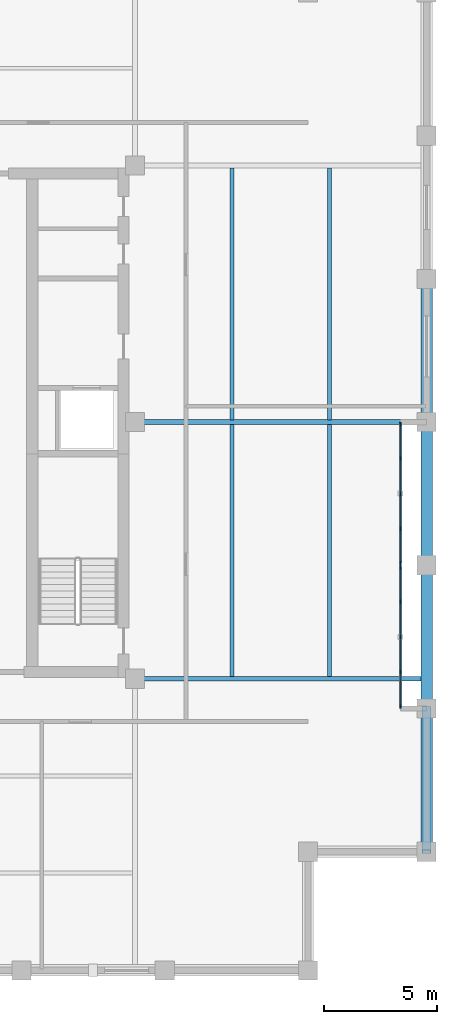
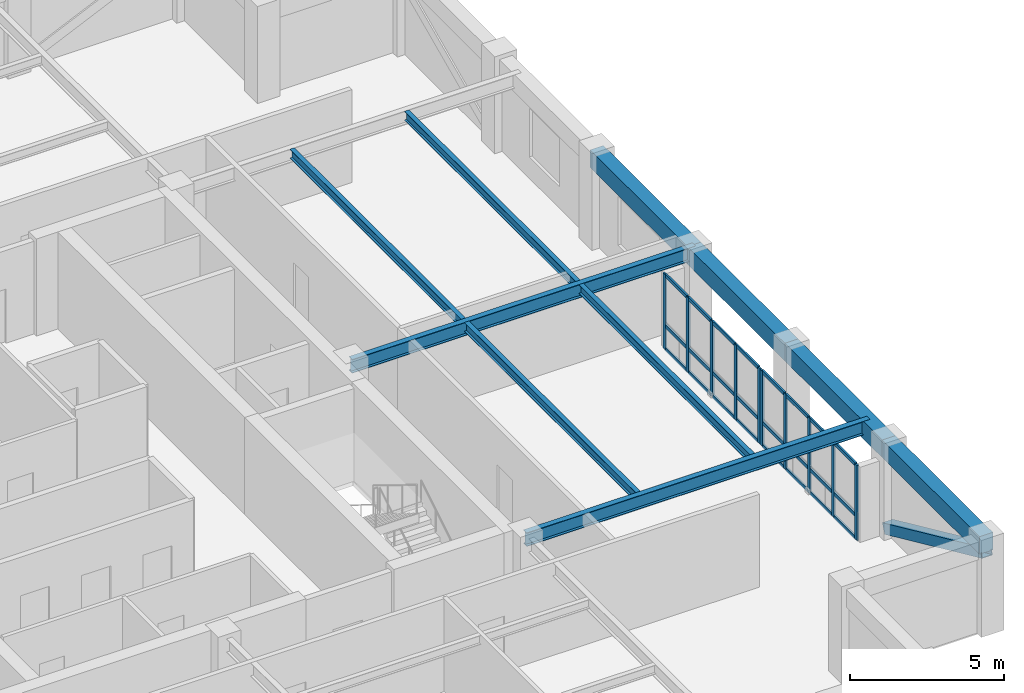
# One storey, part 2 of 10: 35 members, 10 beams, 2 elements without a shape of their own.
"""IFC4 building model written with IfcOpenShell, lengths in metres."""

from ifc_helpers import new_model, si_unit, direction, frame, origin, origin_2d, place, context, subcontext, project, spatial, rectangle, hollow_rectangle, i_section, extrude, material, layer, layer_set, material_profile, profile_set, type_object, element, aggregate, save


model = new_model("IFC4")

# Units and contexts
model_context = context("Model", 3, precision=1e-05, world=origin(), true_north=direction((0.0, 1.0)))
body_context = subcontext(model_context, "Body", "Model", "MODEL_VIEW")
ifc_project = project(units=[si_unit("LENGTHUNIT", "METRE"), si_unit("AREAUNIT", "SQUARE_METRE"), si_unit("VOLUMEUNIT", "CUBIC_METRE"), si_unit("PLANEANGLEUNIT", "RADIAN"), si_unit("MASSUNIT", "GRAM", prefix="KILO")], contexts=[model_context])

# Site, building, storey
site_placement = place(None, origin())
site = spatial("IfcSite", under=ifc_project, at=site_placement, CompositionType="ELEMENT")
building_placement = place(site_placement, origin())
building = spatial("IfcBuilding", under=site, at=building_placement, Name="Nhamokura Convention Tower", CompositionType="ELEMENT")
storey_placement = place(building_placement, frame((0.0, 0.0, 236.949951171875)))
storey = spatial("IfcBuildingStorey", under=building, at=storey_placement, Name="L58", CompositionType="ELEMENT", Elevation=236.949951171875)

# Curtain wall, members
ifc_material_1 = material(Name="Anodised bronze aluminium AA6063-T6", Category="aluminium")
ifc_layer = layer(ifc_material_1, 0.155029296875)
ifc_layer_set = layer_set([ifc_layer], Name="CWSystem_ScaleSlot_Zone3")
curtain_wall_type = type_object("IfcCurtainWallType", Name="CWSystem_ScaleSlot_Zone3", PredefinedType="NOTDEFINED", material=ifc_layer_set)
curtain_wall_1_placement = place(storey_placement, origin())
curtain_wall_1 = element("IfcCurtainWall", 1, at=curtain_wall_1_placement, inside=storey, type_object=curtain_wall_type, Name="L58 Curtain Wall ENV-L58-SLOT-E1", PredefinedType="NOTDEFINED")
ifc_material_2 = material(Name="Anodised bronze aluminium AA6063-T6", Category="aluminium")
ifc_material_profile_1 = material_profile(ifc_material_2, rectangle(XDim=0.06494140625, YDim=0.1650390625, at=origin_2d()))
ifc_profile_set_1 = profile_set([ifc_material_profile_1], Name="Anodised bronze aluminium AA6063-T6")
member_type_1 = type_object("IfcMemberType", Name="CWMullion_3", PredefinedType="MULLION", material=ifc_profile_set_1)
member_1_placement = place(storey_placement, frame((55.10009765625, 25.57421875, 0.0), z_axis=(0.0, 0.0, 1.0), x_axis=(1.0, 0.0, 0.0)))
member_1 = element("IfcMember", 2, at=member_1_placement, type_object=member_type_1, Name="CW-05 mullion 1", PredefinedType="MULLION", context=body_context, shape_type="SweptSolid", body=[
    extrude(rectangle(XDim=0.06494140625, YDim=0.1650390625, at=origin_2d()), origin(), (0.0, 0.0, 1.0), 2.985107421875),
])
member_2_placement = place(storey_placement, frame((55.10009765625, 24.053466796875, 0.0), z_axis=(0.0, 0.0, 1.0), x_axis=(1.0, 0.0, 0.0)))
member_2 = element("IfcMember", 3, at=member_2_placement, type_object=member_type_1, Name="CW-05 mullion 2", PredefinedType="MULLION", context=body_context, shape_type="SweptSolid", body=[
    extrude(rectangle(XDim=0.06494140625, YDim=0.1650390625, at=origin_2d()), origin(), (0.0, 0.0, 1.0), 2.985107421875),
])
member_3_placement = place(storey_placement, frame((55.10009765625, 22.5, 0.0), z_axis=(0.0, 0.0, 1.0), x_axis=(1.0, 0.0, 0.0)))
member_3 = element("IfcMember", 4, at=member_3_placement, type_object=member_type_1, Name="CW-05 mullion 3", PredefinedType="MULLION", context=body_context, shape_type="SweptSolid", body=[
    extrude(rectangle(XDim=0.06494140625, YDim=0.1650390625, at=origin_2d()), origin(), (0.0, 0.0, 1.0), 2.985107421875),
])
member_4_placement = place(storey_placement, frame((55.10009765625, 20.946533203125, 0.0), z_axis=(0.0, 0.0, 1.0), x_axis=(1.0, 0.0, 0.0)))
member_4 = element("IfcMember", 5, at=member_4_placement, type_object=member_type_1, Name="CW-05 mullion 4", PredefinedType="MULLION", context=body_context, shape_type="SweptSolid", body=[
    extrude(rectangle(XDim=0.06494140625, YDim=0.1650390625, at=origin_2d()), origin(), (0.0, 0.0, 1.0), 2.985107421875),
])
member_5_placement = place(storey_placement, frame((55.10009765625, 19.42578125, 0.0), z_axis=(0.0, 0.0, 1.0), x_axis=(1.0, 0.0, 0.0)))
member_5 = element("IfcMember", 6, at=member_5_placement, type_object=member_type_1, Name="CW-05 mullion 5", PredefinedType="MULLION", context=body_context, shape_type="SweptSolid", body=[
    extrude(rectangle(XDim=0.06494140625, YDim=0.1650390625, at=origin_2d()), origin(), (0.0, 0.0, 1.0), 2.985107421875),
])

curtain_wall_2_placement = place(storey_placement, origin())
curtain_wall_2 = element("IfcCurtainWall", 7, at=curtain_wall_2_placement, inside=storey, type_object=curtain_wall_type, Name="L58 Curtain Wall ENV-L58-SLOT-E2", PredefinedType="NOTDEFINED")
member_6_placement = place(storey_placement, frame((55.10009765625, 31.907470703125, 0.0), z_axis=(0.0, 0.0, 1.0), x_axis=(1.0, 0.0, 0.0)))
member_6 = element("IfcMember", 8, at=member_6_placement, type_object=member_type_1, Name="CW-05 mullion 1", PredefinedType="MULLION", context=body_context, shape_type="SweptSolid", body=[
    extrude(rectangle(XDim=0.06494140625, YDim=0.1650390625, at=origin_2d()), origin(), (0.0, 0.0, 1.0), 2.985107421875),
])
member_7_placement = place(storey_placement, frame((55.10009765625, 30.38671875, 0.0), z_axis=(0.0, 0.0, 1.0), x_axis=(1.0, 0.0, 0.0)))
member_7 = element("IfcMember", 9, at=member_7_placement, type_object=member_type_1, Name="CW-05 mullion 2", PredefinedType="MULLION", context=body_context, shape_type="SweptSolid", body=[
    extrude(rectangle(XDim=0.06494140625, YDim=0.1650390625, at=origin_2d()), origin(), (0.0, 0.0, 1.0), 2.985107421875),
])
member_8_placement = place(storey_placement, frame((55.10009765625, 28.833251953125, 0.0), z_axis=(0.0, 0.0, 1.0), x_axis=(1.0, 0.0, 0.0)))
member_8 = element("IfcMember", 10, at=member_8_placement, type_object=member_type_1, Name="CW-05 mullion 3", PredefinedType="MULLION", context=body_context, shape_type="SweptSolid", body=[
    extrude(rectangle(XDim=0.06494140625, YDim=0.1650390625, at=origin_2d()), origin(), (0.0, 0.0, 1.0), 2.985107421875),
])
member_9_placement = place(storey_placement, frame((55.10009765625, 27.280029296875, 0.0), z_axis=(0.0, 0.0, 1.0), x_axis=(1.0, 0.0, 0.0)))
member_9 = element("IfcMember", 11, at=member_9_placement, type_object=member_type_1, Name="CW-05 mullion 4", PredefinedType="MULLION", context=body_context, shape_type="SweptSolid", body=[
    extrude(rectangle(XDim=0.06494140625, YDim=0.1650390625, at=origin_2d()), origin(), (0.0, 0.0, 1.0), 2.985107421875),
])
member_10_placement = place(storey_placement, frame((55.10009765625, 25.75927734375, 0.0), z_axis=(0.0, 0.0, 1.0), x_axis=(1.0, 0.0, 0.0)))
member_10 = element("IfcMember", 12, at=member_10_placement, type_object=member_type_1, Name="CW-05 mullion 5", PredefinedType="MULLION", context=body_context, shape_type="SweptSolid", body=[
    extrude(rectangle(XDim=0.06494140625, YDim=0.1650390625, at=origin_2d()), origin(), (0.0, 0.0, 1.0), 2.985107421875),
])

# Member
ifc_material_3 = material(Name="Anodised bronze aluminium AA6063-T6", Category="aluminium")
ifc_material_profile_2 = material_profile(ifc_material_3, rectangle(XDim=0.06494140625, YDim=0.139892578125, at=origin_2d()))
ifc_profile_set_2 = profile_set([ifc_material_profile_2], Name="Anodised bronze aluminium AA6063-T6")
member_type_2 = type_object("IfcMemberType", Name="CWTransom_3", PredefinedType="USERDEFINED", material=ifc_profile_set_2)
member_11_placement = place(storey_placement, frame((55.10009765625, 25.541748046875, 0.032470703125), z_axis=(0.0, -1.0, 0.0), x_axis=(1.0, 0.0, 0.0)))
member_11 = element("IfcMember", 13, at=member_11_placement, type_object=member_type_2, Name="CW-05 transom 1.1", ObjectType="TRANSOM", PredefinedType="USERDEFINED", context=body_context, shape_type="SweptSolid", body=[
    extrude(rectangle(XDim=0.06494140625, YDim=0.139892578125, at=origin_2d()), origin(), (0.0, 0.0, 1.0), 1.455810546875),
])

member_12_placement = place(storey_placement, frame((55.10009765625, 25.541748046875, 0.949951171875), z_axis=(0.0, -1.0, 0.0), x_axis=(1.0, 0.0, 0.0)))
member_12 = element("IfcMember", 14, at=member_12_placement, type_object=member_type_2, Name="CW-05 transom 1.2", ObjectType="TRANSOM", PredefinedType="USERDEFINED", context=body_context, shape_type="SweptSolid", body=[
    extrude(rectangle(XDim=0.06494140625, YDim=0.139892578125, at=origin_2d()), origin(), (0.0, 0.0, 1.0), 1.455810546875),
])

member_13_placement = place(storey_placement, frame((55.10009765625, 25.541748046875, 2.95263671875), z_axis=(0.0, -1.0, 0.0), x_axis=(1.0, 0.0, 0.0)))
member_13 = element("IfcMember", 15, at=member_13_placement, type_object=member_type_2, Name="CW-05 transom 1.3", ObjectType="TRANSOM", PredefinedType="USERDEFINED", context=body_context, shape_type="SweptSolid", body=[
    extrude(rectangle(XDim=0.06494140625, YDim=0.139892578125, at=origin_2d()), origin(), (0.0, 0.0, 1.0), 1.455810546875),
])

member_14_placement = place(storey_placement, frame((55.10009765625, 24.020751953125, 0.032470703125), z_axis=(0.0, -1.0, 0.0), x_axis=(1.0, 0.0, 0.0)))
member_14 = element("IfcMember", 16, at=member_14_placement, type_object=member_type_2, Name="CW-05 transom 2.1", ObjectType="TRANSOM", PredefinedType="USERDEFINED", context=body_context, shape_type="SweptSolid", body=[
    extrude(rectangle(XDim=0.06494140625, YDim=0.139892578125, at=origin_2d()), origin(), (0.0, 0.0, 1.0), 1.48828125),
])

member_15_placement = place(storey_placement, frame((55.10009765625, 24.020751953125, 0.949951171875), z_axis=(0.0, -1.0, 0.0), x_axis=(1.0, 0.0, 0.0)))
member_15 = element("IfcMember", 17, at=member_15_placement, type_object=member_type_2, Name="CW-05 transom 2.2", ObjectType="TRANSOM", PredefinedType="USERDEFINED", context=body_context, shape_type="SweptSolid", body=[
    extrude(rectangle(XDim=0.06494140625, YDim=0.139892578125, at=origin_2d()), origin(), (0.0, 0.0, 1.0), 1.48828125),
])

member_16_placement = place(storey_placement, frame((55.10009765625, 24.020751953125, 2.95263671875), z_axis=(0.0, -1.0, 0.0), x_axis=(1.0, 0.0, 0.0)))
member_16 = element("IfcMember", 18, at=member_16_placement, type_object=member_type_2, Name="CW-05 transom 2.3", ObjectType="TRANSOM", PredefinedType="USERDEFINED", context=body_context, shape_type="SweptSolid", body=[
    extrude(rectangle(XDim=0.06494140625, YDim=0.139892578125, at=origin_2d()), origin(), (0.0, 0.0, 1.0), 1.48828125),
])

member_17_placement = place(storey_placement, frame((55.10009765625, 22.467529296875, 0.032470703125), z_axis=(0.0, -1.0, 0.0), x_axis=(1.0, 0.0, 0.0)))
member_17 = element("IfcMember", 19, at=member_17_placement, type_object=member_type_2, Name="CW-05 transom 3.1", ObjectType="TRANSOM", PredefinedType="USERDEFINED", context=body_context, shape_type="SweptSolid", body=[
    extrude(rectangle(XDim=0.06494140625, YDim=0.139892578125, at=origin_2d()), origin(), (0.0, 0.0, 1.0), 1.48828125),
])

member_18_placement = place(storey_placement, frame((55.10009765625, 22.467529296875, 0.949951171875), z_axis=(0.0, -1.0, 0.0), x_axis=(1.0, 0.0, 0.0)))
member_18 = element("IfcMember", 20, at=member_18_placement, type_object=member_type_2, Name="CW-05 transom 3.2", ObjectType="TRANSOM", PredefinedType="USERDEFINED", context=body_context, shape_type="SweptSolid", body=[
    extrude(rectangle(XDim=0.06494140625, YDim=0.139892578125, at=origin_2d()), origin(), (0.0, 0.0, 1.0), 1.48828125),
])

member_19_placement = place(storey_placement, frame((55.10009765625, 22.467529296875, 2.95263671875), z_axis=(0.0, -1.0, 0.0), x_axis=(1.0, 0.0, 0.0)))
member_19 = element("IfcMember", 21, at=member_19_placement, type_object=member_type_2, Name="CW-05 transom 3.3", ObjectType="TRANSOM", PredefinedType="USERDEFINED", context=body_context, shape_type="SweptSolid", body=[
    extrude(rectangle(XDim=0.06494140625, YDim=0.139892578125, at=origin_2d()), origin(), (0.0, 0.0, 1.0), 1.48828125),
])

member_20_placement = place(storey_placement, frame((55.10009765625, 20.9140625, 0.032470703125), z_axis=(0.0, -1.0, 0.0), x_axis=(1.0, 0.0, 0.0)))
member_20 = element("IfcMember", 22, at=member_20_placement, type_object=member_type_2, Name="CW-05 transom 4.1", ObjectType="TRANSOM", PredefinedType="USERDEFINED", context=body_context, shape_type="SweptSolid", body=[
    extrude(rectangle(XDim=0.06494140625, YDim=0.139892578125, at=origin_2d()), origin(), (0.0, 0.0, 1.0), 1.455810546875),
])

member_21_placement = place(storey_placement, frame((55.10009765625, 20.9140625, 0.949951171875), z_axis=(0.0, -1.0, 0.0), x_axis=(1.0, 0.0, 0.0)))
member_21 = element("IfcMember", 23, at=member_21_placement, type_object=member_type_2, Name="CW-05 transom 4.2", ObjectType="TRANSOM", PredefinedType="USERDEFINED", context=body_context, shape_type="SweptSolid", body=[
    extrude(rectangle(XDim=0.06494140625, YDim=0.139892578125, at=origin_2d()), origin(), (0.0, 0.0, 1.0), 1.455810546875),
])

member_22_placement = place(storey_placement, frame((55.10009765625, 20.9140625, 2.95263671875), z_axis=(0.0, -1.0, 0.0), x_axis=(1.0, 0.0, 0.0)))
member_22 = element("IfcMember", 24, at=member_22_placement, type_object=member_type_2, Name="CW-05 transom 4.3", ObjectType="TRANSOM", PredefinedType="USERDEFINED", context=body_context, shape_type="SweptSolid", body=[
    extrude(rectangle(XDim=0.06494140625, YDim=0.139892578125, at=origin_2d()), origin(), (0.0, 0.0, 1.0), 1.455810546875),
])

aggregate(curtain_wall_1, [member_1, member_2, member_3, member_4, member_5, member_11, member_12, member_13, member_14, member_15, member_16, member_17, member_18, member_19, member_20, member_21, member_22])

member_23_placement = place(storey_placement, frame((55.10009765625, 31.875, 0.032470703125), z_axis=(0.0, -1.0, 0.0), x_axis=(1.0, 0.0, 0.0)))
member_23 = element("IfcMember", 25, at=member_23_placement, type_object=member_type_2, Name="CW-05 transom 1.1", ObjectType="TRANSOM", PredefinedType="USERDEFINED", context=body_context, shape_type="SweptSolid", body=[
    extrude(rectangle(XDim=0.06494140625, YDim=0.139892578125, at=origin_2d()), origin(), (0.0, 0.0, 1.0), 1.455810546875),
])

member_24_placement = place(storey_placement, frame((55.10009765625, 31.875, 0.949951171875), z_axis=(0.0, -1.0, 0.0), x_axis=(1.0, 0.0, 0.0)))
member_24 = element("IfcMember", 26, at=member_24_placement, type_object=member_type_2, Name="CW-05 transom 1.2", ObjectType="TRANSOM", PredefinedType="USERDEFINED", context=body_context, shape_type="SweptSolid", body=[
    extrude(rectangle(XDim=0.06494140625, YDim=0.139892578125, at=origin_2d()), origin(), (0.0, 0.0, 1.0), 1.455810546875),
])

member_25_placement = place(storey_placement, frame((55.10009765625, 31.875, 2.95263671875), z_axis=(0.0, -1.0, 0.0), x_axis=(1.0, 0.0, 0.0)))
member_25 = element("IfcMember", 27, at=member_25_placement, type_object=member_type_2, Name="CW-05 transom 1.3", ObjectType="TRANSOM", PredefinedType="USERDEFINED", context=body_context, shape_type="SweptSolid", body=[
    extrude(rectangle(XDim=0.06494140625, YDim=0.139892578125, at=origin_2d()), origin(), (0.0, 0.0, 1.0), 1.455810546875),
])

member_26_placement = place(storey_placement, frame((55.10009765625, 30.354248046875, 0.032470703125), z_axis=(0.0, -1.0, 0.0), x_axis=(1.0, 0.0, 0.0)))
member_26 = element("IfcMember", 28, at=member_26_placement, type_object=member_type_2, Name="CW-05 transom 2.1", ObjectType="TRANSOM", PredefinedType="USERDEFINED", context=body_context, shape_type="SweptSolid", body=[
    extrude(rectangle(XDim=0.06494140625, YDim=0.139892578125, at=origin_2d()), origin(), (0.0, 0.0, 1.0), 1.48828125),
])

member_27_placement = place(storey_placement, frame((55.10009765625, 30.354248046875, 0.949951171875), z_axis=(0.0, -1.0, 0.0), x_axis=(1.0, 0.0, 0.0)))
member_27 = element("IfcMember", 29, at=member_27_placement, type_object=member_type_2, Name="CW-05 transom 2.2", ObjectType="TRANSOM", PredefinedType="USERDEFINED", context=body_context, shape_type="SweptSolid", body=[
    extrude(rectangle(XDim=0.06494140625, YDim=0.139892578125, at=origin_2d()), origin(), (0.0, 0.0, 1.0), 1.48828125),
])

member_28_placement = place(storey_placement, frame((55.10009765625, 30.354248046875, 2.95263671875), z_axis=(0.0, -1.0, 0.0), x_axis=(1.0, 0.0, 0.0)))
member_28 = element("IfcMember", 30, at=member_28_placement, type_object=member_type_2, Name="CW-05 transom 2.3", ObjectType="TRANSOM", PredefinedType="USERDEFINED", context=body_context, shape_type="SweptSolid", body=[
    extrude(rectangle(XDim=0.06494140625, YDim=0.139892578125, at=origin_2d()), origin(), (0.0, 0.0, 1.0), 1.48828125),
])

member_29_placement = place(storey_placement, frame((55.10009765625, 28.80078125, 0.032470703125), z_axis=(0.0, -1.0, 0.0), x_axis=(1.0, 0.0, 0.0)))
member_29 = element("IfcMember", 31, at=member_29_placement, type_object=member_type_2, Name="CW-05 transom 3.1", ObjectType="TRANSOM", PredefinedType="USERDEFINED", context=body_context, shape_type="SweptSolid", body=[
    extrude(rectangle(XDim=0.06494140625, YDim=0.139892578125, at=origin_2d()), origin(), (0.0, 0.0, 1.0), 1.48828125),
])

member_30_placement = place(storey_placement, frame((55.10009765625, 28.80078125, 0.949951171875), z_axis=(0.0, -1.0, 0.0), x_axis=(1.0, 0.0, 0.0)))
member_30 = element("IfcMember", 32, at=member_30_placement, type_object=member_type_2, Name="CW-05 transom 3.2", ObjectType="TRANSOM", PredefinedType="USERDEFINED", context=body_context, shape_type="SweptSolid", body=[
    extrude(rectangle(XDim=0.06494140625, YDim=0.139892578125, at=origin_2d()), origin(), (0.0, 0.0, 1.0), 1.48828125),
])

member_31_placement = place(storey_placement, frame((55.10009765625, 28.80078125, 2.95263671875), z_axis=(0.0, -1.0, 0.0), x_axis=(1.0, 0.0, 0.0)))
member_31 = element("IfcMember", 33, at=member_31_placement, type_object=member_type_2, Name="CW-05 transom 3.3", ObjectType="TRANSOM", PredefinedType="USERDEFINED", context=body_context, shape_type="SweptSolid", body=[
    extrude(rectangle(XDim=0.06494140625, YDim=0.139892578125, at=origin_2d()), origin(), (0.0, 0.0, 1.0), 1.48828125),
])

member_32_placement = place(storey_placement, frame((55.10009765625, 27.24755859375, 0.032470703125), z_axis=(0.0, -1.0, 0.0), x_axis=(1.0, 0.0, 0.0)))
member_32 = element("IfcMember", 34, at=member_32_placement, type_object=member_type_2, Name="CW-05 transom 4.1", ObjectType="TRANSOM", PredefinedType="USERDEFINED", context=body_context, shape_type="SweptSolid", body=[
    extrude(rectangle(XDim=0.06494140625, YDim=0.139892578125, at=origin_2d()), origin(), (0.0, 0.0, 1.0), 1.455810546875),
])

member_33_placement = place(storey_placement, frame((55.10009765625, 27.24755859375, 0.949951171875), z_axis=(0.0, -1.0, 0.0), x_axis=(1.0, 0.0, 0.0)))
member_33 = element("IfcMember", 35, at=member_33_placement, type_object=member_type_2, Name="CW-05 transom 4.2", ObjectType="TRANSOM", PredefinedType="USERDEFINED", context=body_context, shape_type="SweptSolid", body=[
    extrude(rectangle(XDim=0.06494140625, YDim=0.139892578125, at=origin_2d()), origin(), (0.0, 0.0, 1.0), 1.455810546875),
])

member_34_placement = place(storey_placement, frame((55.10009765625, 27.24755859375, 2.95263671875), z_axis=(0.0, -1.0, 0.0), x_axis=(1.0, 0.0, 0.0)))
member_34 = element("IfcMember", 36, at=member_34_placement, type_object=member_type_2, Name="CW-05 transom 4.3", ObjectType="TRANSOM", PredefinedType="USERDEFINED", context=body_context, shape_type="SweptSolid", body=[
    extrude(rectangle(XDim=0.06494140625, YDim=0.139892578125, at=origin_2d()), origin(), (0.0, 0.0, 1.0), 1.455810546875),
])

aggregate(curtain_wall_2, [member_6, member_7, member_8, member_9, member_10, member_23, member_24, member_25, member_26, member_27, member_28, member_29, member_30, member_31, member_32, member_33, member_34])

# Beams
ifc_material_4 = material(Name="Steel ASTM A992 Gr 50", Category="steel")
ifc_material_profile_3 = material_profile(ifc_material_4, i_section(OverallWidth=0.172119140625, OverallDepth=0.35791015625, WebThickness=0.0078125, FlangeThickness=0.01318359375, at=origin_2d()))
ifc_profile_set_3 = profile_set([ifc_material_profile_3], Name="Steel ASTM A992 Gr 50")
beam_type_1 = type_object("IfcBeamType", Name="FloorJoist_W360X57", PredefinedType="JOIST", material=ifc_profile_set_3)
for number, where, z_axis, x_axis, name in (
    (37, (47.64990234375, 20.75341796875, 3.506103515625), (0.0, 1.0, 0.0), (-1.0, 0.0, 0.0), "L58 Composite Floor Joist E1A"),
    (38, (47.64990234375, 32.103515625, 3.506103515625), (0.0, 1.0, 0.0), (-1.0, 0.0, 0.0), "L58 Composite Floor Joist E1B"),
    (39, (51.949951171875, 20.75341796875, 3.506103515625), (0.0, 1.0, 0.0), (-1.0, 0.0, 0.0), "L58 Composite Floor Joist E2A"),
    (40, (51.949951171875, 32.103515625, 3.506103515625), (0.0, 1.0, 0.0), (-1.0, 0.0, 0.0), "L58 Composite Floor Joist E2B"),
):
    element("IfcBeam", number, at=place(storey_placement, frame(where, z_axis=z_axis, x_axis=x_axis)), inside=storey, type_object=beam_type_1, Name=name, PredefinedType="JOIST", context=body_context, shape_type="SweptSolid", body=[
        extrude(i_section(OverallWidth=0.172119140625, OverallDepth=0.35791015625, WebThickness=0.0078125, FlangeThickness=0.01318359375, at=origin_2d()), origin(), (0.0, 0.0, 1.0), 11.14306640625),
    ])
ifc_material_5 = material(Name="Steel ASTM A992 Gr 50", Category="steel")
ifc_material_profile_4 = material_profile(ifc_material_5, i_section(OverallWidth=0.2109375, OverallDepth=0.5390625, WebThickness=0.01171875, FlangeThickness=0.018798828125, at=origin_2d()))
ifc_profile_set_4 = profile_set([ifc_material_profile_4], Name="Steel ASTM A992 Gr 50")
beam_type_2 = type_object("IfcBeamType", Name="PrimaryGirder_W530X109", PredefinedType="BEAM", material=ifc_profile_set_4)
for number, where, z_axis, x_axis, name in (
    (41, (43.35009765625, 20.64990234375, 3.41552734375), (1.0, 0.0, 0.0), (0.0, 1.0, 0.0), "L58 Primary Floor Girder PG-E1"),
    (42, (43.35009765625, 32.0, 3.41552734375), (1.0, 0.0, 0.0), (0.0, 1.0, 0.0), "L58 Primary Floor Girder PG-E2"),
):
    element("IfcBeam", number, at=place(storey_placement, frame(where, z_axis=z_axis, x_axis=x_axis)), inside=storey, type_object=beam_type_2, Name=name, PredefinedType="BEAM", context=body_context, shape_type="SweptSolid", body=[
        extrude(i_section(OverallWidth=0.2109375, OverallDepth=0.5390625, WebThickness=0.01171875, FlangeThickness=0.018798828125, at=origin_2d()), origin(), (0.0, 0.0, 1.0), 12.89990234375),
    ])

# Member
ifc_material_6 = material(Name="Steel ASTM A572 Gr 50", Category="steel")
ifc_material_profile_5 = material_profile(ifc_material_6, hollow_rectangle(XDim=0.39990234375, YDim=0.39990234375, WallThickness=0.02001953125, at=origin_2d()))
ifc_profile_set_5 = profile_set([ifc_material_profile_5], Name="Steel ASTM A572 Gr 50")
member_type_3 = type_object("IfcMemberType", Name="TubeBrace_HSS400", PredefinedType="BRACE", material=ifc_profile_set_5)
member_35_placement = place(storey_placement, frame((56.25, 19.333251953125, 0.150146484375), z_axis=(0.0, -0.910027379678, 0.41454814948), x_axis=(1.0, 0.0, 0.0)))
element("IfcMember", 43, at=member_35_placement, inside=storey, type_object=member_type_3, Name="L58 Perimeter Tube Brace EAST Bay 0", PredefinedType="BRACE", context=body_context, shape_type="SweptSolid", body=[
    extrude(hollow_rectangle(XDim=0.39990234375, YDim=0.39990234375, WallThickness=0.02001953125, at=origin_2d()), origin(), (0.0, 0.0, 1.0), 6.95947265625),
])

# Beams
ifc_material_7 = material(Name="Concrete C50/60", Category="concrete")
ifc_material_profile_6 = material_profile(ifc_material_7, rectangle(XDim=0.5, YDim=0.699951171875, at=origin_2d()))
ifc_profile_set_6 = profile_set([ifc_material_profile_6], Name="Concrete C50/60")
beam_type_3 = type_object("IfcBeamType", Name="TubeSpandrel_700", PredefinedType="SPANDREL", material=ifc_profile_set_6)
beam_1_placement = place(storey_placement, frame((56.25, 13.0, 3.3349609375), z_axis=(0.0, 1.0, 0.0), x_axis=(-1.0, 0.0, 0.0)))
element("IfcBeam", 44, at=beam_1_placement, inside=storey, type_object=beam_type_3, Name="L58 Perimeter Spandrel EAST 1", PredefinedType="SPANDREL", context=body_context, shape_type="SweptSolid", body=[
    extrude(rectangle(XDim=0.5, YDim=0.699951171875, at=origin_2d()), origin(), (0.0, 0.0, 1.0), 6.333251953125),
])
beam_2_placement = place(storey_placement, frame((56.25, 19.333251953125, 3.3349609375), z_axis=(0.0, 1.0, 0.0), x_axis=(-1.0, 0.0, 0.0)))
element("IfcBeam", 45, at=beam_2_placement, inside=storey, type_object=beam_type_3, Name="L58 Perimeter Spandrel EAST 2", PredefinedType="SPANDREL", context=body_context, shape_type="SweptSolid", body=[
    extrude(rectangle(XDim=0.5, YDim=0.699951171875, at=origin_2d()), origin(), (0.0, 0.0, 1.0), 6.33349609375),
])
for number, where, z_axis, x_axis, name in (
    (46, (56.25, 25.666748046875, 3.3349609375), (0.0, 1.0, 0.0), (-1.0, 0.0, 0.0), "L58 Perimeter Spandrel EAST 3"),
    (47, (56.25, 32.0, 3.3349609375), (0.0, 1.0, 0.0), (-1.0, 0.0, 0.0), "L58 Perimeter Spandrel EAST 4"),
):
    element("IfcBeam", number, at=place(storey_placement, frame(where, z_axis=z_axis, x_axis=x_axis)), inside=storey, type_object=beam_type_3, Name=name, PredefinedType="SPANDREL", context=body_context, shape_type="SweptSolid", body=[
        extrude(rectangle(XDim=0.5, YDim=0.699951171875, at=origin_2d()), origin(), (0.0, 0.0, 1.0), 6.333251953125),
    ])

save(model, "model.ifc")
